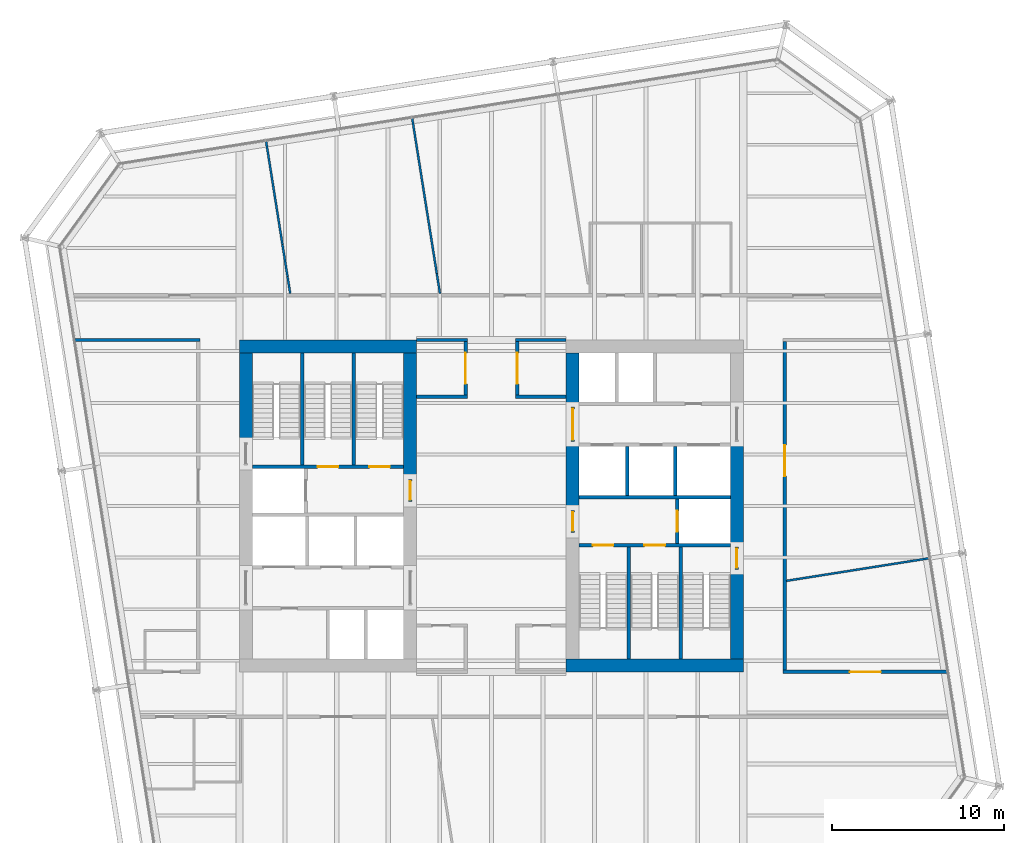
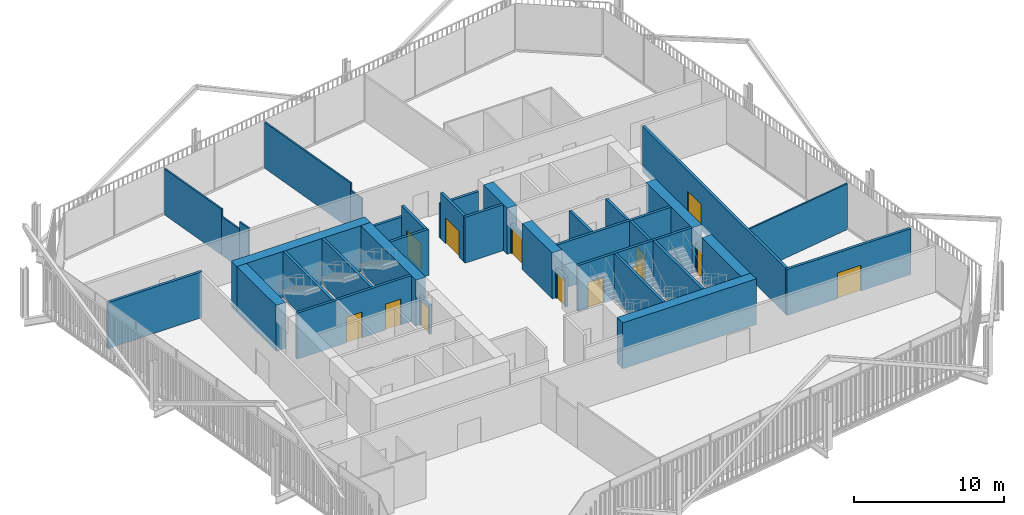
# One storey, part 19 of 22: 37 walls, 13 doors, 13 openings.
"""IFC4 building model written with IfcOpenShell, lengths in metres."""

from ifc_helpers import new_model, si_unit, direction, frame, frame_2d, origin, place, context, subcontext, project, spatial, rectangle, extrude, material, layer, layer_set, type_object, element, fill, save


model = new_model("IFC4")

# Units and contexts
model_context = context("Model", 3, precision=1e-05, world=origin(), true_north=direction((0.0, 1.0)))
body_context = subcontext(model_context, "Body", "Model", "MODEL_VIEW")
ifc_project = project(units=[si_unit("LENGTHUNIT", "METRE"), si_unit("AREAUNIT", "SQUARE_METRE"), si_unit("VOLUMEUNIT", "CUBIC_METRE"), si_unit("PLANEANGLEUNIT", "RADIAN"), si_unit("MASSUNIT", "GRAM", prefix="KILO")], contexts=[model_context])

# Site, building, storey
site_placement = place(None, origin())
site = spatial("IfcSite", under=ifc_project, at=site_placement, CompositionType="ELEMENT")
building_placement = place(site_placement, origin())
building = spatial("IfcBuilding", under=site, at=building_placement, Name="Millrace Tower", CompositionType="ELEMENT")
storey_placement = place(building_placement, frame((0.0, 0.0, 160.699951171875)))
storey = spatial("IfcBuildingStorey", under=building, at=storey_placement, Name="L36", CompositionType="ELEMENT", Elevation=160.699951171875)

# Walls
ifc_material_1 = material(Name="Concrete C70", Category="concrete")
ifc_layer_1 = layer(ifc_material_1, 0.75)
ifc_layer_set_1 = layer_set([ifc_layer_1], Name="Concrete C70")
wall_type_1 = type_object("IfcWallType", Name="Core wall 750 Concrete C70", PredefinedType="SHEAR", material=ifc_layer_set_1)
wall_1_placement = place(storey_placement, frame((-14.64990234375, 9.27490234375, 0.0), z_axis=(0.0, 0.0, 1.0), x_axis=(1.0, 0.0, 0.0)))
element("IfcWall", 1, at=wall_1_placement, inside=storey, type_object=wall_type_1, Name="Core wall W L36", PredefinedType="SHEAR", context=body_context, shape_type="SweptSolid", body=[
    extrude(rectangle(XDim=10.2998046875, YDim=0.75, at=frame_2d((5.14990234375, 0.0))), origin(), (0.0, 0.0, 1.0), 3.739990234375),
])
wall_2_placement = place(storey_placement, frame((-14.27490234375, 3.679931640625, 0.0), z_axis=(0.0, 0.0, 1.0), x_axis=(0.0, 1.0, 0.0)))
element("IfcWall", 2, at=wall_2_placement, inside=storey, type_object=wall_type_1, Name="Core wall W L36", PredefinedType="SHEAR", context=body_context, shape_type="SweptSolid", body=[
    extrude(rectangle(XDim=5.219970703125, YDim=0.75, at=frame_2d((2.60986328125, 0.0))), origin(), (0.0, 0.0, 1.0), 3.739990234375),
])
wall_3_placement = place(storey_placement, frame((-4.72509765625, 1.550048828125, 0.0), z_axis=(0.0, 0.0, 1.0), x_axis=(0.0, 1.0, 0.0)))
element("IfcWall", 3, at=wall_3_placement, inside=storey, type_object=wall_type_1, Name="Core wall W L36", PredefinedType="SHEAR", context=body_context, shape_type="SweptSolid", body=[
    extrude(rectangle(XDim=7.349853515625, YDim=0.75, at=frame_2d((3.6748046875, 0.0))), origin(), (0.0, 0.0, 1.0), 3.739990234375),
])
wall_4_placement = place(storey_placement, frame((14.64990234375, -9.27490234375, 0.0), z_axis=(0.0, 0.0, 1.0), x_axis=(-1.0, 0.0, 0.0)))
element("IfcWall", 4, at=wall_4_placement, inside=storey, type_object=wall_type_1, Name="Core wall E L36", PredefinedType="SHEAR", context=body_context, shape_type="SweptSolid", body=[
    extrude(rectangle(XDim=10.2998046875, YDim=0.75, at=frame_2d((5.14990234375, 0.0))), origin(), (0.0, 0.0, 1.0), 3.739990234375),
])
wall_5_placement = place(storey_placement, frame((14.27490234375, 3.75, 0.0), z_axis=(0.0, 0.0, 1.0), x_axis=(0.0, -1.0, 0.0)))
element("IfcWall", 5, at=wall_5_placement, inside=storey, type_object=wall_type_1, Name="Core wall E L36", PredefinedType="SHEAR", context=body_context, shape_type="SweptSolid", body=[
    extrude(rectangle(XDim=6.1298828125, YDim=0.75, at=frame_2d((3.06494140625, 0.0))), origin(), (0.0, 0.0, 1.0), 3.739990234375),
])
wall_6_placement = place(storey_placement, frame((14.27490234375, -3.679931640625, 0.0), z_axis=(0.0, 0.0, 1.0), x_axis=(0.0, -1.0, 0.0)))
element("IfcWall", 6, at=wall_6_placement, inside=storey, type_object=wall_type_1, Name="Core wall E L36", PredefinedType="SHEAR", context=body_context, shape_type="SweptSolid", body=[
    extrude(rectangle(XDim=5.219970703125, YDim=0.75, at=frame_2d((2.60986328125, 0.0))), origin(), (0.0, 0.0, 1.0), 3.739990234375),
])
wall_7_placement = place(storey_placement, frame((4.72509765625, 8.89990234375, 0.0), z_axis=(0.0, 0.0, 1.0), x_axis=(0.0, -1.0, 0.0)))
element("IfcWall", 7, at=wall_7_placement, inside=storey, type_object=wall_type_1, Name="Core wall E L36", PredefinedType="SHEAR", context=body_context, shape_type="SweptSolid", body=[
    extrude(rectangle(XDim=3.14990234375, YDim=0.75, at=frame_2d((1.574951171875, 0.0))), origin(), (0.0, 0.0, 1.0), 3.739990234375),
])
wall_8_placement = place(storey_placement, frame((4.72509765625, 3.75, 0.0), z_axis=(0.0, 0.0, 1.0), x_axis=(0.0, -1.0, 0.0)))
element("IfcWall", 8, at=wall_8_placement, inside=storey, type_object=wall_type_1, Name="Core wall E L36", PredefinedType="SHEAR", context=body_context, shape_type="SweptSolid", body=[
    extrude(rectangle(XDim=4.0, YDim=0.75, at=frame_2d((2.0, 0.0))), origin(), (0.0, 0.0, 1.0), 3.739990234375),
])

# Wall, opening, door
ifc_material_2 = material(Name="Masonry partition, fire-rated", Category="masonry")
ifc_layer_2 = layer(ifc_material_2, 0.199951171875)
ifc_layer_set_2 = layer_set([ifc_layer_2], Name="Masonry partition, fire-rated")
wall_type_2 = type_object("IfcWallType", Name="Corridor wall 200", PredefinedType="PARTITIONING", material=ifc_layer_set_2)
wall_9_placement = place(storey_placement, frame((16.949951171875, -9.64990234375, 0.0), z_axis=(0.0, 0.0, 1.0), x_axis=(1.0, 0.0, 0.0)))
wall_9 = element("IfcWall", 9, at=wall_9_placement, inside=storey, type_object=wall_type_2, Name="Corridor wall L36", PredefinedType="PARTITIONING", context=body_context, shape_type="SweptSolid", body=[
    extrude(rectangle(XDim=9.54638671875, YDim=0.199951171875, at=frame_2d((4.773193359375, 0.0))), origin(), (0.0, 0.0, 1.0), 3.739990234375),
])
opening_1_placement = place(wall_9_placement, frame((3.89794921875, 0.0, 0.0)))
opening_1 = element("IfcOpeningElement", 10, at=opening_1_placement, cuts=wall_9, Name="Opening 36-P012", PredefinedType="OPENING", context=body_context, shape_type="SweptSolid", body=[
    extrude(rectangle(XDim=1.800048828125, YDim=2.10009765625, at=frame_2d((0.89990234375, 1.050048828125))), frame((0.0, 0.10986328125, 0.0), z_axis=(0.0, -1.0, 0.0), x_axis=(1.0, 0.0, 0.0)), (0.0, 0.0, 1.0), 0.219970703125),
])
ifc_material_3 = material(Name="Steel door set, fire-rated", Category="steel")
door_type_1 = type_object("IfcDoorType", Name="Corridor door 1800 x 2100", OperationType="DOUBLE_DOOR_SINGLE_SWING", PredefinedType="DOOR", material=ifc_material_3)
door_1_placement = place(opening_1_placement, origin())
door_1 = element("IfcDoor", 11, at=door_1_placement, inside=storey, type_object=door_type_1, Name="Door 36-P012", OperationType="DOUBLE_DOOR_SINGLE_SWING", OverallHeight=2.10009765625, OverallWidth=1.800048828125, PredefinedType="DOOR", context=body_context, shape_type="SweptSolid", body=[
    extrude(rectangle(XDim=1.800048828125, YDim=2.10009765625, at=frame_2d((0.89990234375, 1.050048828125))), frame((0.0, 0.02490234375, 0.0), z_axis=(0.0, -1.0, 0.0), x_axis=(1.0, 0.0, 0.0)), (0.0, 0.0, 1.0), 0.050048828125),
])
fill(opening_1, door_1)

# Walls
for number, where, z_axis, x_axis, name in (
    (12, (-4.35009765625, 6.35009765625, 0.0), (0.0, 0.0, 1.0), (1.0, 0.0, 0.0), "Corridor wall L36"),
    (13, (1.39990234375, 6.35009765625, 0.0), (0.0, 0.0, 1.0), (1.0, 0.0, 0.0), "Corridor wall L36"),
):
    element("IfcWall", number, at=place(storey_placement, frame(where, z_axis=z_axis, x_axis=x_axis)), inside=storey, type_object=wall_type_2, Name=name, PredefinedType="PARTITIONING", context=body_context, shape_type="SweptSolid", body=[
        extrude(rectangle(XDim=2.9501953125, YDim=0.199951171875, at=frame_2d((1.47509765625, 0.0))), origin(), (0.0, 0.0, 1.0), 3.739990234375),
    ])
wall_10_placement = place(storey_placement, frame((-24.20703125, 9.64990234375, 0.0), z_axis=(0.0, 0.0, 1.0), x_axis=(1.0, 0.0, 0.0)))
element("IfcWall", 14, at=wall_10_placement, inside=storey, type_object=wall_type_2, Name="Corridor wall L36", PredefinedType="PARTITIONING", context=body_context, shape_type="SweptSolid", body=[
    extrude(rectangle(XDim=7.257080078125, YDim=0.199951171875, at=frame_2d((3.62841796875, 0.0))), origin(), (0.0, 0.0, 1.0), 3.739990234375),
])
for number, where, z_axis, x_axis, name in (
    (15, (-4.35009765625, 9.64990234375, 0.0), (0.0, 0.0, 1.0), (1.0, 0.0, 0.0), "Corridor wall L36"),
    (16, (1.39990234375, 9.64990234375, 0.0), (0.0, 0.0, 1.0), (1.0, 0.0, 0.0), "Corridor wall L36"),
):
    element("IfcWall", number, at=place(storey_placement, frame(where, z_axis=z_axis, x_axis=x_axis)), inside=storey, type_object=wall_type_2, Name=name, PredefinedType="PARTITIONING", context=body_context, shape_type="SweptSolid", body=[
        extrude(rectangle(XDim=2.9501953125, YDim=0.199951171875, at=frame_2d((1.47509765625, 0.0))), origin(), (0.0, 0.0, 1.0), 2.81298828125),
    ])

# Wall, opening, door
wall_11_placement = place(storey_placement, frame((17.050048828125, -9.550048828125, 0.0), z_axis=(0.0, 0.0, 1.0), x_axis=(0.0, 1.0, 0.0)))
wall_11 = element("IfcWall", 17, at=wall_11_placement, inside=storey, type_object=wall_type_2, Name="Corridor wall L36", PredefinedType="PARTITIONING", context=body_context, shape_type="SweptSolid", body=[
    extrude(rectangle(XDim=19.10009765625, YDim=0.199951171875, at=frame_2d((9.550048828125, 0.0))), origin(), (0.0, 0.0, 1.0), 3.739990234375),
])
opening_2_placement = place(wall_11_placement, frame((11.2900390625, 0.0, 0.0)))
opening_2 = element("IfcOpeningElement", 18, at=opening_2_placement, cuts=wall_11, Name="Opening 36-P013", PredefinedType="OPENING", context=body_context, shape_type="SweptSolid", body=[
    extrude(rectangle(XDim=1.800048828125, YDim=2.10009765625, at=frame_2d((0.89990234375, 1.050048828125))), frame((0.0, 0.10986328125, 0.0), z_axis=(0.0, -1.0, 0.0), x_axis=(1.0, 0.0, 0.0)), (0.0, 0.0, 1.0), 0.219970703125),
])
door_2_placement = place(opening_2_placement, frame((1.800048828125, 0.0, 0.0), z_axis=(0.0, 0.0, 1.0), x_axis=(-1.0, 0.0, 0.0)))
door_2 = element("IfcDoor", 19, at=door_2_placement, inside=storey, type_object=door_type_1, Name="Door 36-P013", OperationType="DOUBLE_DOOR_SINGLE_SWING", OverallHeight=2.10009765625, OverallWidth=1.800048828125, PredefinedType="DOOR", context=body_context, shape_type="SweptSolid", body=[
    extrude(rectangle(XDim=1.800048828125, YDim=2.10009765625, at=frame_2d((0.89990234375, 1.050048828125))), frame((0.0, 0.02490234375, 0.0), z_axis=(0.0, -1.0, 0.0), x_axis=(1.0, 0.0, 0.0)), (0.0, 0.0, 1.0), 0.050048828125),
])
fill(opening_2, door_2)

wall_12_placement = place(storey_placement, frame((1.5, 6.449951171875, 0.0), z_axis=(0.0, 0.0, 1.0), x_axis=(0.0, 1.0, 0.0)))
wall_12 = element("IfcWall", 20, at=wall_12_placement, inside=storey, type_object=wall_type_2, Name="Corridor wall L36", PredefinedType="PARTITIONING", context=body_context, shape_type="SweptSolid", body=[
    extrude(rectangle(XDim=3.10009765625, YDim=0.199951171875, at=frame_2d((1.550048828125, 0.0))), origin(), (0.0, 0.0, 1.0), 3.739990234375),
])
opening_3_placement = place(wall_12_placement, frame((0.64990234375, 0.0, 0.0)))
opening_3 = element("IfcOpeningElement", 21, at=opening_3_placement, cuts=wall_12, Name="Opening 36-P002", PredefinedType="OPENING", context=body_context, shape_type="SweptSolid", body=[
    extrude(rectangle(XDim=1.800048828125, YDim=2.10009765625, at=frame_2d((0.89990234375, 1.050048828125))), frame((0.0, 0.10986328125, 0.0), z_axis=(0.0, -1.0, 0.0), x_axis=(1.0, 0.0, 0.0)), (0.0, 0.0, 1.0), 0.219970703125),
])
ifc_material_4 = material(Name="Steel door set, fire-rated", Category="steel")
door_type_2 = type_object("IfcDoorType", Name="Data hall door 1800 x 2100", OperationType="DOUBLE_DOOR_SINGLE_SWING", PredefinedType="DOOR", material=ifc_material_4)
door_3_placement = place(opening_3_placement, frame((1.800048828125, 0.0, 0.0), z_axis=(0.0, 0.0, 1.0), x_axis=(-1.0, 0.0, 0.0)))
door_3 = element("IfcDoor", 22, at=door_3_placement, inside=storey, type_object=door_type_2, Name="Door 36-P002", OperationType="DOUBLE_DOOR_SINGLE_SWING", OverallHeight=2.10009765625, OverallWidth=1.800048828125, PredefinedType="DOOR", context=body_context, shape_type="SweptSolid", body=[
    extrude(rectangle(XDim=1.800048828125, YDim=2.10009765625, at=frame_2d((0.89990234375, 1.050048828125))), frame((0.0, 0.02490234375, 0.0), z_axis=(0.0, -1.0, 0.0), x_axis=(1.0, 0.0, 0.0)), (0.0, 0.0, 1.0), 0.050048828125),
])
fill(opening_3, door_3)

wall_13_placement = place(storey_placement, frame((-1.5, 6.449951171875, 0.0), z_axis=(0.0, 0.0, 1.0), x_axis=(0.0, 1.0, 0.0)))
wall_13 = element("IfcWall", 23, at=wall_13_placement, inside=storey, type_object=wall_type_2, Name="Corridor wall L36", PredefinedType="PARTITIONING", context=body_context, shape_type="SweptSolid", body=[
    extrude(rectangle(XDim=3.10009765625, YDim=0.199951171875, at=frame_2d((1.550048828125, 0.0))), origin(), (0.0, 0.0, 1.0), 3.739990234375),
])
opening_4_placement = place(wall_13_placement, frame((0.64990234375, 0.0, 0.0)))
opening_4 = element("IfcOpeningElement", 24, at=opening_4_placement, cuts=wall_13, Name="Opening 36-P001", PredefinedType="OPENING", context=body_context, shape_type="SweptSolid", body=[
    extrude(rectangle(XDim=1.800048828125, YDim=2.10009765625, at=frame_2d((0.89990234375, 1.050048828125))), frame((0.0, 0.10986328125, 0.0), z_axis=(0.0, -1.0, 0.0), x_axis=(1.0, 0.0, 0.0)), (0.0, 0.0, 1.0), 0.219970703125),
])
door_4_placement = place(opening_4_placement, origin())
door_4 = element("IfcDoor", 25, at=door_4_placement, inside=storey, type_object=door_type_2, Name="Door 36-P001", OperationType="DOUBLE_DOOR_SINGLE_SWING", OverallHeight=2.10009765625, OverallWidth=1.800048828125, PredefinedType="DOOR", context=body_context, shape_type="SweptSolid", body=[
    extrude(rectangle(XDim=1.800048828125, YDim=2.10009765625, at=frame_2d((0.89990234375, 1.050048828125))), frame((0.0, 0.02490234375, 0.0), z_axis=(0.0, -1.0, 0.0), x_axis=(1.0, 0.0, 0.0)), (0.0, 0.0, 1.0), 0.050048828125),
])
fill(opening_4, door_4)

# Wall
ifc_material_5 = material(Name="Masonry partition, fire-rated", Category="masonry")
ifc_layer_3 = layer(ifc_material_5, 0.199951171875)
ifc_layer_set_3 = layer_set([ifc_layer_3], Name="Masonry partition, fire-rated")
wall_type_3 = type_object("IfcWallType", Name="Lift shaft wall 200", PredefinedType="PARTITIONING", material=ifc_layer_set_3)
wall_14_placement = place(storey_placement, frame((13.89990234375, 0.5, 0.0), z_axis=(0.0, 0.0, 1.0), x_axis=(-1.0, 0.0, 0.0)))
element("IfcWall", 26, at=wall_14_placement, inside=storey, type_object=wall_type_3, Name="Lift shaft wall E L36", PredefinedType="PARTITIONING", context=body_context, shape_type="SweptSolid", body=[
    extrude(rectangle(XDim=8.7998046875, YDim=0.199951171875, at=frame_2d((4.39990234375, 0.0))), origin(), (0.0, 0.0, 1.0), 3.739990234375),
])

# Wall, opening, door
wall_15_placement = place(storey_placement, frame((10.800048828125, 0.39990234375, 0.0), z_axis=(0.0, 0.0, 1.0), x_axis=(0.0, -1.0, 0.0)))
wall_15 = element("IfcWall", 27, at=wall_15_placement, inside=storey, type_object=wall_type_3, Name="Lift shaft wall E L36", PredefinedType="PARTITIONING", context=body_context, shape_type="SweptSolid", body=[
    extrude(rectangle(XDim=2.579833984375, YDim=0.199951171875, at=frame_2d((1.2900390625, 0.0))), origin(), (0.0, 0.0, 1.0), 3.739990234375),
])
opening_5_placement = place(wall_15_placement, frame((0.68994140625, 0.0, 0.0)))
opening_5 = element("IfcOpeningElement", 28, at=opening_5_placement, cuts=wall_15, Name="Opening 36-LD16", PredefinedType="OPENING", context=body_context, shape_type="SweptSolid", body=[
    extrude(rectangle(XDim=1.199951171875, YDim=2.10009765625, at=frame_2d((0.60009765625, 1.050048828125))), frame((0.0, 0.10986328125, 0.0), z_axis=(0.0, -1.0, 0.0), x_axis=(1.0, 0.0, 0.0)), (0.0, 0.0, 1.0), 0.219970703125),
])
ifc_material_6 = material(Name="Stainless steel, fire-rated", Category="steel")
door_type_3 = type_object("IfcDoorType", Name="Lift landing door 1200 x 2100", OperationType="DOUBLE_DOOR_SLIDING", PredefinedType="DOOR", material=ifc_material_6)
door_5_placement = place(opening_5_placement, origin())
door_5 = element("IfcDoor", 29, at=door_5_placement, inside=storey, type_object=door_type_3, Name="Lift landing door LF16 L36", OperationType="DOUBLE_DOOR_SLIDING", OverallHeight=2.10009765625, OverallWidth=1.199951171875, PredefinedType="DOOR", context=body_context, shape_type="SweptSolid", body=[
    extrude(rectangle(XDim=1.199951171875, YDim=2.10009765625, at=frame_2d((0.60009765625, 1.050048828125))), frame((0.0, 0.02490234375, 0.0), z_axis=(0.0, -1.0, 0.0), x_axis=(1.0, 0.0, 0.0)), (0.0, 0.0, 1.0), 0.050048828125),
])
fill(opening_5, door_5)

# Walls
for number, where, z_axis, x_axis, name in (
    (30, (10.699951171875, 3.449951171875, 0.0), (0.0, 0.0, 1.0), (0.0, -1.0, 0.0), "Lift shaft wall E L36"),
    (31, (7.89990234375, 3.449951171875, 0.0), (0.0, 0.0, 1.0), (0.0, -1.0, 0.0), "Lift shaft wall E L36"),
):
    element("IfcWall", number, at=place(storey_placement, frame(where, z_axis=z_axis, x_axis=x_axis)), inside=storey, type_object=wall_type_3, Name=name, PredefinedType="PARTITIONING", context=body_context, shape_type="SweptSolid", body=[
        extrude(rectangle(XDim=2.849853515625, YDim=0.199951171875, at=frame_2d((1.4248046875, 0.0))), origin(), (0.0, 0.0, 1.0), 3.739990234375),
    ])

# Wall, opening, door
ifc_material_7 = material(Name="Masonry partition, fire-rated", Category="masonry")
ifc_layer_4 = layer(ifc_material_7, 0.199951171875)
ifc_layer_set_4 = layer_set([ifc_layer_4], Name="Masonry partition, fire-rated")
wall_type_4 = type_object("IfcWallType", Name="Lobby wall 200", PredefinedType="PARTITIONING", material=ifc_layer_set_4)
wall_16_placement = place(storey_placement, frame((-4.72509765625, 0.25, 0.0), z_axis=(0.0, 0.0, 1.0), x_axis=(0.0, 1.0, 0.0)))
wall_16 = element("IfcWall", 32, at=wall_16_placement, inside=storey, type_object=wall_type_4, Name="Lobby wall W L36", PredefinedType="PARTITIONING", context=body_context, shape_type="SweptSolid", body=[
    extrude(rectangle(XDim=1.300048828125, YDim=0.199951171875, at=frame_2d((0.64990234375, 0.0))), origin(), (0.0, 0.0, 1.0), 2.400146484375),
])
opening_6_placement = place(wall_16_placement, frame((0.10009765625, 0.0, 0.0)))
opening_6 = element("IfcOpeningElement", 33, at=opening_6_placement, cuts=wall_16, Name="Opening 36-C004", PredefinedType="OPENING", context=body_context, shape_type="SweptSolid", body=[
    extrude(rectangle(XDim=1.10009765625, YDim=2.10009765625, at=frame_2d((0.550048828125, 1.050048828125))), frame((0.0, 0.10986328125, 0.0), z_axis=(0.0, -1.0, 0.0), x_axis=(1.0, 0.0, 0.0)), (0.0, 0.0, 1.0), 0.219970703125),
])
ifc_material_8 = material(Name="Steel door, fire-rated", Category="steel")
door_type_4 = type_object("IfcDoorType", Name="Lobby door 1100 x 2100", OperationType="SINGLE_SWING_LEFT", PredefinedType="DOOR", material=ifc_material_8)
door_6_placement = place(opening_6_placement, origin())
door_6 = element("IfcDoor", 34, at=door_6_placement, inside=storey, type_object=door_type_4, Name="Lobby door 36-C004", OperationType="SINGLE_SWING_LEFT", OverallHeight=2.10009765625, OverallWidth=1.10009765625, PredefinedType="DOOR", context=body_context, shape_type="SweptSolid", body=[
    extrude(rectangle(XDim=1.10009765625, YDim=2.10009765625, at=frame_2d((0.550048828125, 1.050048828125))), frame((0.0, 0.02490234375, 0.0), z_axis=(0.0, -1.0, 0.0), x_axis=(1.0, 0.0, 0.0)), (0.0, 0.0, 1.0), 0.050048828125),
])
fill(opening_6, door_6)

wall_17_placement = place(storey_placement, frame((4.72509765625, 5.75, 0.0), z_axis=(0.0, 0.0, 1.0), x_axis=(0.0, -1.0, 0.0)))
wall_17 = element("IfcWall", 35, at=wall_17_placement, inside=storey, type_object=wall_type_4, Name="Lobby wall E L36", PredefinedType="PARTITIONING", context=body_context, shape_type="SweptSolid", body=[
    extrude(rectangle(XDim=2.0, YDim=0.199951171875, at=frame_2d((1.0, 0.0))), origin(), (0.0, 0.0, 1.0), 2.400146484375),
])
opening_7_placement = place(wall_17_placement, frame((0.10009765625, 0.0, 0.0)))
opening_7 = element("IfcOpeningElement", 36, at=opening_7_placement, cuts=wall_17, Name="Opening 36-C010", PredefinedType="OPENING", context=body_context, shape_type="SweptSolid", body=[
    extrude(rectangle(XDim=1.800048828125, YDim=2.10009765625, at=frame_2d((0.89990234375, 1.050048828125))), frame((0.0, 0.10986328125, 0.0), z_axis=(0.0, -1.0, 0.0), x_axis=(1.0, 0.0, 0.0)), (0.0, 0.0, 1.0), 0.219970703125),
])
ifc_material_9 = material(Name="Steel door, fire-rated", Category="steel")
door_type_5 = type_object("IfcDoorType", Name="Lobby door 1800 x 2100", OperationType="DOUBLE_DOOR_SINGLE_SWING", PredefinedType="DOOR", material=ifc_material_9)
door_7_placement = place(opening_7_placement, origin())
door_7 = element("IfcDoor", 37, at=door_7_placement, inside=storey, type_object=door_type_5, Name="Lobby door 36-C010", OperationType="DOUBLE_DOOR_SINGLE_SWING", OverallHeight=2.10009765625, OverallWidth=1.800048828125, PredefinedType="DOOR", context=body_context, shape_type="SweptSolid", body=[
    extrude(rectangle(XDim=1.800048828125, YDim=2.10009765625, at=frame_2d((0.89990234375, 1.050048828125))), frame((0.0, 0.02490234375, 0.0), z_axis=(0.0, -1.0, 0.0), x_axis=(1.0, 0.0, 0.0)), (0.0, 0.0, 1.0), 0.050048828125),
])
fill(opening_7, door_7)

wall_18_placement = place(storey_placement, frame((4.72509765625, -0.25, 0.0), z_axis=(0.0, 0.0, 1.0), x_axis=(0.0, -1.0, 0.0)))
wall_18 = element("IfcWall", 38, at=wall_18_placement, inside=storey, type_object=wall_type_4, Name="Lobby wall E L36", PredefinedType="PARTITIONING", context=body_context, shape_type="SweptSolid", body=[
    extrude(rectangle(XDim=1.300048828125, YDim=0.199951171875, at=frame_2d((0.64990234375, 0.0))), origin(), (0.0, 0.0, 1.0), 2.400146484375),
])
opening_8_placement = place(wall_18_placement, frame((0.10009765625, 0.0, 0.0)))
opening_8 = element("IfcOpeningElement", 39, at=opening_8_placement, cuts=wall_18, Name="Opening 36-C011", PredefinedType="OPENING", context=body_context, shape_type="SweptSolid", body=[
    extrude(rectangle(XDim=1.10009765625, YDim=2.10009765625, at=frame_2d((0.550048828125, 1.050048828125))), frame((0.0, 0.10986328125, 0.0), z_axis=(0.0, -1.0, 0.0), x_axis=(1.0, 0.0, 0.0)), (0.0, 0.0, 1.0), 0.219970703125),
])
door_8_placement = place(opening_8_placement, origin())
door_8 = element("IfcDoor", 40, at=door_8_placement, inside=storey, type_object=door_type_4, Name="Lobby door 36-C011", OperationType="SINGLE_SWING_RIGHT", OverallHeight=2.10009765625, OverallWidth=1.10009765625, PredefinedType="DOOR", context=body_context, shape_type="SweptSolid", body=[
    extrude(rectangle(XDim=1.10009765625, YDim=2.10009765625, at=frame_2d((0.550048828125, 1.050048828125))), frame((0.0, 0.02490234375, 0.0), z_axis=(0.0, -1.0, 0.0), x_axis=(1.0, 0.0, 0.0)), (0.0, 0.0, 1.0), 0.050048828125),
])
fill(opening_8, door_8)

# Walls
ifc_material_10 = material(Name="Gypsum board partition")
ifc_layer_5 = layer(ifc_material_10, 0.1201171875)
ifc_layer_set_5 = layer_set([ifc_layer_5], Name="Gypsum board partition")
wall_type_5 = type_object("IfcWallType", Name="Partition wall 120", PredefinedType="PARTITIONING", material=ifc_layer_set_5)
wall_19_placement = place(storey_placement, frame((-13.098876953125, 21.20849609375, 0.0), z_axis=(0.0, 0.0, 1.0), x_axis=(0.156435215838, -0.98768822168, 0.0)))
element("IfcWall", 41, at=wall_19_placement, inside=storey, type_object=wall_type_5, Name="Partition wall L36", PredefinedType="PARTITIONING", context=body_context, shape_type="SweptSolid", body=[
    extrude(rectangle(XDim=6.073974609375, YDim=0.1201171875, at=frame_2d((3.037109375, 0.0))), origin(), (0.0, 0.0, 1.0), 3.739990234375),
])
wall_20_placement = place(storey_placement, frame((-12.148681640625, 15.209228515625, 0.0), z_axis=(0.0, 0.0, 1.0), x_axis=(0.156437428752, -0.987687871185, 0.0)))
element("IfcWall", 42, at=wall_20_placement, inside=storey, type_object=wall_type_5, Name="Partition wall L36", PredefinedType="PARTITIONING", context=body_context, shape_type="SweptSolid", body=[
    extrude(rectangle(XDim=1.90087890625, YDim=0.1201171875, at=frame_2d((0.950439453125, 0.0))), origin(), (0.0, 0.0, 1.0), 3.137939453125),
])
wall_21_placement = place(storey_placement, frame((-11.851318359375, 13.331787109375, 0.0), z_axis=(0.0, 0.0, 1.0), x_axis=(0.156516849034, -0.98767528873, 0.0)))
element("IfcWall", 43, at=wall_21_placement, inside=storey, type_object=wall_type_5, Name="Partition wall L36", PredefinedType="PARTITIONING", context=body_context, shape_type="SweptSolid", body=[
    extrude(rectangle(XDim=0.9951171875, YDim=0.1201171875, at=frame_2d((0.49755859375, 0.0))), origin(), (0.0, 0.0, 1.0), 3.739990234375),
])
wall_22_placement = place(storey_placement, frame((-4.604736328125, 22.553955078125, 0.0), z_axis=(0.0, 0.0, 1.0), x_axis=(0.156514999097, -0.987675581888, 0.0)))
element("IfcWall", 44, at=wall_22_placement, inside=storey, type_object=wall_type_5, Name="Partition wall L36", PredefinedType="PARTITIONING", context=body_context, shape_type="SweptSolid", body=[
    extrude(rectangle(XDim=9.1455078125, YDim=0.1201171875, at=frame_2d((4.57275390625, 0.0))), origin(), (0.0, 0.0, 1.0), 3.739990234375),
])
wall_23_placement = place(storey_placement, frame((-3.17333984375, 13.521240234375, 0.0), z_axis=(0.0, 0.0, 1.0), x_axis=(0.15652233103, -0.987674419983, 0.0)))
element("IfcWall", 45, at=wall_23_placement, inside=storey, type_object=wall_type_5, Name="Partition wall L36", PredefinedType="PARTITIONING", context=body_context, shape_type="SweptSolid", body=[
    extrude(rectangle(XDim=1.18701171875, YDim=0.1201171875, at=frame_2d((0.593505859375, 0.0))), origin(), (0.0, 0.0, 1.0), 3.133056640625),
])
wall_24_placement = place(storey_placement, frame((17.148681640625, -4.354248046875, 0.0), z_axis=(0.0, 0.0, 1.0), x_axis=(0.987702120758, 0.156347435703, 0.0)))
element("IfcWall", 46, at=wall_24_placement, inside=storey, type_object=wall_type_5, Name="Partition wall L36", PredefinedType="PARTITIONING", context=body_context, shape_type="SweptSolid", body=[
    extrude(rectangle(XDim=8.404052734375, YDim=0.1201171875, at=frame_2d((4.2021484375, 0.0))), origin(), (0.0, 0.0, 1.0), 3.739990234375),
])

# Wall, openings, doors
ifc_material_11 = material(Name="Concrete C40", Category="concrete")
ifc_layer_6 = layer(ifc_material_11, 0.199951171875)
ifc_layer_set_6 = layer_set([ifc_layer_6], Name="Concrete C40")
wall_type_6 = type_object("IfcWallType", Name="Stair enclosure wall 200 Concrete C40", PredefinedType="SHEAR", material=ifc_layer_set_6)
wall_25_placement = place(storey_placement, frame((-13.89990234375, 2.280029296875, 0.0), z_axis=(0.0, 0.0, 1.0), x_axis=(1.0, 0.0, 0.0)))
wall_25 = element("IfcWall", 47, at=wall_25_placement, inside=storey, type_object=wall_type_6, Name="Stair enclosure wall W L36", PredefinedType="SHEAR", context=body_context, shape_type="SweptSolid", body=[
    extrude(rectangle(XDim=8.7998046875, YDim=0.199951171875, at=frame_2d((4.39990234375, 0.0))), origin(), (0.0, 0.0, 1.0), 3.739990234375),
])
opening_9_placement = place(wall_25_placement, frame((3.800048828125, 0.0, 0.0)))
opening_9 = element("IfcOpeningElement", 48, at=opening_9_placement, cuts=wall_25, Name="Opening 36-C006", PredefinedType="OPENING", context=body_context, shape_type="SweptSolid", body=[
    extrude(rectangle(XDim=1.199951171875, YDim=2.10009765625, at=frame_2d((0.60009765625, 1.050048828125))), frame((0.0, 0.10986328125, 0.0), z_axis=(0.0, -1.0, 0.0), x_axis=(1.0, 0.0, 0.0)), (0.0, 0.0, 1.0), 0.219970703125),
])
opening_10_placement = place(wall_25_placement, frame((6.800048828125, 0.0, 0.0)))
opening_10 = element("IfcOpeningElement", 49, at=opening_10_placement, cuts=wall_25, Name="Opening 36-C007", PredefinedType="OPENING", context=body_context, shape_type="SweptSolid", body=[
    extrude(rectangle(XDim=1.199951171875, YDim=2.10009765625, at=frame_2d((0.60009765625, 1.050048828125))), frame((0.0, 0.10986328125, 0.0), z_axis=(0.0, -1.0, 0.0), x_axis=(1.0, 0.0, 0.0)), (0.0, 0.0, 1.0), 0.219970703125),
])
ifc_material_12 = material(Name="Steel door, fire-rated", Category="steel")
door_type_6 = type_object("IfcDoorType", Name="Stair door 1200 x 2100", OperationType="SINGLE_SWING_LEFT", PredefinedType="DOOR", material=ifc_material_12)
door_9_placement = place(opening_9_placement, frame((1.199951171875, 0.0, 0.0), z_axis=(0.0, 0.0, 1.0), x_axis=(-1.0, 0.0, 0.0)))
door_9 = element("IfcDoor", 50, at=door_9_placement, inside=storey, type_object=door_type_6, Name="Stair door 36-C006", OperationType="SINGLE_SWING_LEFT", OverallHeight=2.10009765625, OverallWidth=1.199951171875, PredefinedType="DOOR", context=body_context, shape_type="SweptSolid", body=[
    extrude(rectangle(XDim=1.199951171875, YDim=2.10009765625, at=frame_2d((0.60009765625, 1.050048828125))), frame((0.0, 0.02490234375, 0.0), z_axis=(0.0, -1.0, 0.0), x_axis=(1.0, 0.0, 0.0)), (0.0, 0.0, 1.0), 0.050048828125),
])
fill(opening_9, door_9)
door_10_placement = place(opening_10_placement, frame((1.199951171875, 0.0, 0.0), z_axis=(0.0, 0.0, 1.0), x_axis=(-1.0, 0.0, 0.0)))
door_10 = element("IfcDoor", 51, at=door_10_placement, inside=storey, type_object=door_type_6, Name="Stair door 36-C007", OperationType="SINGLE_SWING_LEFT", OverallHeight=2.10009765625, OverallWidth=1.199951171875, PredefinedType="DOOR", context=body_context, shape_type="SweptSolid", body=[
    extrude(rectangle(XDim=1.199951171875, YDim=2.10009765625, at=frame_2d((0.60009765625, 1.050048828125))), frame((0.0, 0.02490234375, 0.0), z_axis=(0.0, -1.0, 0.0), x_axis=(1.0, 0.0, 0.0)), (0.0, 0.0, 1.0), 0.050048828125),
])
fill(opening_10, door_10)

# Walls
for number, where, z_axis, x_axis, name in (
    (52, (-11.0, 2.3798828125, 0.0), (0.0, 0.0, 1.0), (0.0, 1.0, 0.0), "Stair enclosure wall W L36"),
    (53, (-8.0, 2.3798828125, 0.0), (0.0, 0.0, 1.0), (0.0, 1.0, 0.0), "Stair enclosure wall W L36"),
):
    element("IfcWall", number, at=place(storey_placement, frame(where, z_axis=z_axis, x_axis=x_axis)), inside=storey, type_object=wall_type_6, Name=name, PredefinedType="SHEAR", context=body_context, shape_type="SweptSolid", body=[
        extrude(rectangle(XDim=6.52001953125, YDim=0.199951171875, at=frame_2d((3.260009765625, 0.0))), origin(), (0.0, 0.0, 1.0), 3.739990234375),
    ])

# Wall, opening, door
wall_26_placement = place(storey_placement, frame((14.27490234375, -2.3798828125, 0.0), z_axis=(0.0, 0.0, 1.0), x_axis=(0.0, -1.0, 0.0)))
wall_26 = element("IfcWall", 54, at=wall_26_placement, inside=storey, type_object=wall_type_6, Name="Stair enclosure wall E L36", PredefinedType="SHEAR", context=body_context, shape_type="SweptSolid", body=[
    extrude(rectangle(XDim=1.300048828125, YDim=0.199951171875, at=frame_2d((0.64990234375, 0.0))), origin(), (0.0, 0.0, 1.0), 2.400146484375),
])
opening_11_placement = place(wall_26_placement, frame((0.10009765625, 0.0, 0.0)))
opening_11 = element("IfcOpeningElement", 55, at=opening_11_placement, cuts=wall_26, Name="Opening 36-C009", PredefinedType="OPENING", context=body_context, shape_type="SweptSolid", body=[
    extrude(rectangle(XDim=1.10009765625, YDim=2.10009765625, at=frame_2d((0.550048828125, 1.050048828125))), frame((0.0, 0.10986328125, 0.0), z_axis=(0.0, -1.0, 0.0), x_axis=(1.0, 0.0, 0.0)), (0.0, 0.0, 1.0), 0.219970703125),
])
ifc_material_13 = material(Name="Steel door, fire-rated", Category="steel")
door_type_7 = type_object("IfcDoorType", Name="Stair door 1100 x 2100", OperationType="SINGLE_SWING_LEFT", PredefinedType="DOOR", material=ifc_material_13)
door_11_placement = place(opening_11_placement, origin())
door_11 = element("IfcDoor", 56, at=door_11_placement, inside=storey, type_object=door_type_7, Name="Stair door 36-C009", OperationType="SINGLE_SWING_RIGHT", OverallHeight=2.10009765625, OverallWidth=1.10009765625, PredefinedType="DOOR", context=body_context, shape_type="SweptSolid", body=[
    extrude(rectangle(XDim=1.10009765625, YDim=2.10009765625, at=frame_2d((0.550048828125, 1.050048828125))), frame((0.0, 0.02490234375, 0.0), z_axis=(0.0, -1.0, 0.0), x_axis=(1.0, 0.0, 0.0)), (0.0, 0.0, 1.0), 0.050048828125),
])
fill(opening_11, door_11)

# Wall, openings, doors
wall_27_placement = place(storey_placement, frame((13.89990234375, -2.280029296875, 0.0), z_axis=(0.0, 0.0, 1.0), x_axis=(-1.0, 0.0, 0.0)))
wall_27 = element("IfcWall", 57, at=wall_27_placement, inside=storey, type_object=wall_type_6, Name="Stair enclosure wall E L36", PredefinedType="SHEAR", context=body_context, shape_type="SweptSolid", body=[
    extrude(rectangle(XDim=8.7998046875, YDim=0.199951171875, at=frame_2d((4.39990234375, 0.0))), origin(), (0.0, 0.0, 1.0), 3.739990234375),
])
opening_12_placement = place(wall_27_placement, frame((3.800048828125, 0.0, 0.0)))
opening_12 = element("IfcOpeningElement", 58, at=opening_12_placement, cuts=wall_27, Name="Opening 36-C013", PredefinedType="OPENING", context=body_context, shape_type="SweptSolid", body=[
    extrude(rectangle(XDim=1.199951171875, YDim=2.10009765625, at=frame_2d((0.60009765625, 1.050048828125))), frame((0.0, 0.10986328125, 0.0), z_axis=(0.0, -1.0, 0.0), x_axis=(1.0, 0.0, 0.0)), (0.0, 0.0, 1.0), 0.219970703125),
])
opening_13_placement = place(wall_27_placement, frame((6.800048828125, 0.0, 0.0)))
opening_13 = element("IfcOpeningElement", 59, at=opening_13_placement, cuts=wall_27, Name="Opening 36-C014", PredefinedType="OPENING", context=body_context, shape_type="SweptSolid", body=[
    extrude(rectangle(XDim=1.199951171875, YDim=2.10009765625, at=frame_2d((0.60009765625, 1.050048828125))), frame((0.0, 0.10986328125, 0.0), z_axis=(0.0, -1.0, 0.0), x_axis=(1.0, 0.0, 0.0)), (0.0, 0.0, 1.0), 0.219970703125),
])
door_12_placement = place(opening_12_placement, frame((1.199951171875, 0.0, 0.0), z_axis=(0.0, 0.0, 1.0), x_axis=(-1.0, 0.0, 0.0)))
door_12 = element("IfcDoor", 60, at=door_12_placement, inside=storey, type_object=door_type_6, Name="Stair door 36-C013", OperationType="SINGLE_SWING_LEFT", OverallHeight=2.10009765625, OverallWidth=1.199951171875, PredefinedType="DOOR", context=body_context, shape_type="SweptSolid", body=[
    extrude(rectangle(XDim=1.199951171875, YDim=2.10009765625, at=frame_2d((0.60009765625, 1.050048828125))), frame((0.0, 0.02490234375, 0.0), z_axis=(0.0, -1.0, 0.0), x_axis=(1.0, 0.0, 0.0)), (0.0, 0.0, 1.0), 0.050048828125),
])
fill(opening_12, door_12)
door_13_placement = place(opening_13_placement, frame((1.199951171875, 0.0, 0.0), z_axis=(0.0, 0.0, 1.0), x_axis=(-1.0, 0.0, 0.0)))
door_13 = element("IfcDoor", 61, at=door_13_placement, inside=storey, type_object=door_type_6, Name="Stair door 36-C014", OperationType="SINGLE_SWING_LEFT", OverallHeight=2.10009765625, OverallWidth=1.199951171875, PredefinedType="DOOR", context=body_context, shape_type="SweptSolid", body=[
    extrude(rectangle(XDim=1.199951171875, YDim=2.10009765625, at=frame_2d((0.60009765625, 1.050048828125))), frame((0.0, 0.02490234375, 0.0), z_axis=(0.0, -1.0, 0.0), x_axis=(1.0, 0.0, 0.0)), (0.0, 0.0, 1.0), 0.050048828125),
])
fill(opening_13, door_13)

# Walls
for number, where, z_axis, x_axis, name in (
    (62, (11.0, -2.3798828125, 0.0), (0.0, 0.0, 1.0), (0.0, -1.0, 0.0), "Stair enclosure wall E L36"),
    (63, (8.0, -2.3798828125, 0.0), (0.0, 0.0, 1.0), (0.0, -1.0, 0.0), "Stair enclosure wall E L36"),
):
    element("IfcWall", number, at=place(storey_placement, frame(where, z_axis=z_axis, x_axis=x_axis)), inside=storey, type_object=wall_type_6, Name=name, PredefinedType="SHEAR", context=body_context, shape_type="SweptSolid", body=[
        extrude(rectangle(XDim=6.52001953125, YDim=0.199951171875, at=frame_2d((3.260009765625, 0.0))), origin(), (0.0, 0.0, 1.0), 3.739990234375),
    ])

save(model, "model.ifc")
